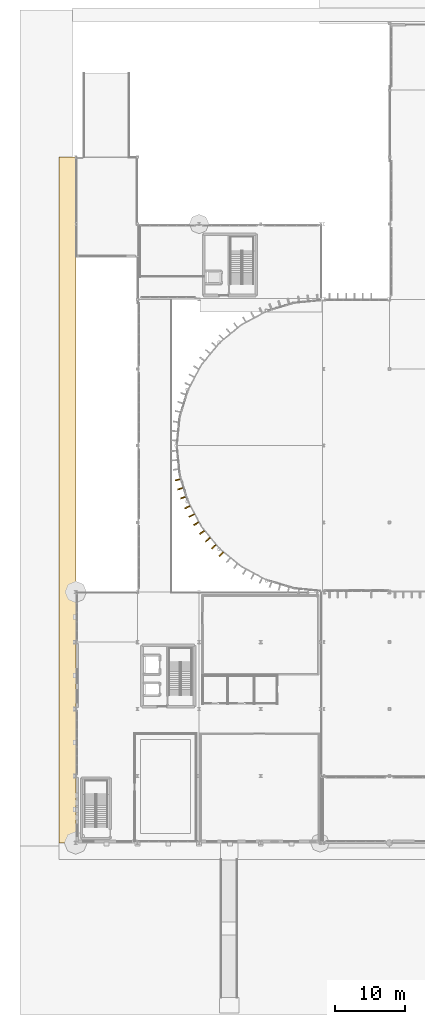
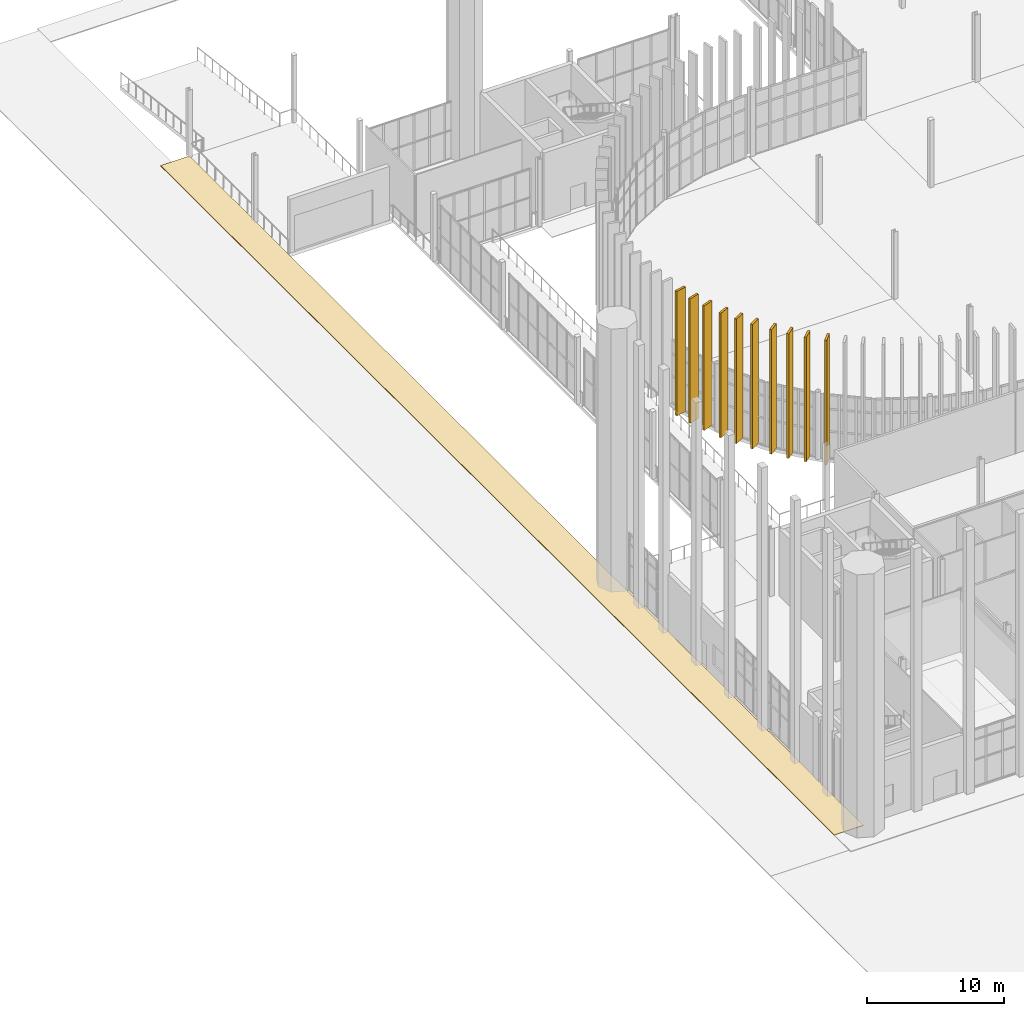
# One storey, part 120 of 139: 11 coverings.
"""IFC4 building model written with IfcOpenShell, lengths in metres."""

from ifc_helpers import new_model, si_unit, direction, frame, origin, origin_2d, place, context, subcontext, project, spatial, polyline, rectangle, outline, extrude, material, layer, layer_set, type_object, element, save


model = new_model("IFC4")

# Units and contexts
model_context = context("Model", 3, precision=1e-05, world=origin(), true_north=direction((0.0, 1.0)))
body_context = subcontext(model_context, "Body", "Model", "MODEL_VIEW")
ifc_project = project(units=[si_unit("LENGTHUNIT", "METRE"), si_unit("AREAUNIT", "SQUARE_METRE"), si_unit("VOLUMEUNIT", "CUBIC_METRE"), si_unit("PLANEANGLEUNIT", "RADIAN"), si_unit("MASSUNIT", "GRAM", prefix="KILO")], contexts=[model_context])

# Site, building, storey
site_placement = place(None, origin())
site = spatial("IfcSite", under=ifc_project, at=site_placement, CompositionType="ELEMENT")
building_placement = place(site_placement, origin())
building = spatial("IfcBuilding", under=site, at=building_placement, Name="Yeouljin Market Hall", CompositionType="ELEMENT")
storey_placement = place(building_placement, origin())
storey = spatial("IfcBuildingStorey", under=building, at=storey_placement, Name="L00", CompositionType="ELEMENT", Elevation=0.0)

# Coverings
ifc_material_1 = material(Name="Pocheon Granite Stone", Category="masonry")
ifc_layer_1 = layer(ifc_material_1, 0.050048828125)
ifc_layer_set_1 = layer_set([ifc_layer_1], Name="Pocheon Granite Stone")
covering_type_1 = type_object("IfcCoveringType", Name="Covering_Granite_PlinthPaving", PredefinedType="FLOORING", material=ifc_layer_set_1)
covering_placement = place(storey_placement, frame((0.0, 0.0, -0.050048828125)))
element("IfcCovering", 1, at=covering_placement, inside=storey, type_object=covering_type_1, Name="Granite plinth exterior apron PAV-WEST-WALK", PredefinedType="FLOORING", context=body_context, shape_type="SweptSolid", body=[
    extrude(outline(polyline([(-2.39990234375, 0.0), (0.050048828125, 0.0), (0.050048828125, 98.39990234375), (-2.39990234375, 98.39990234375), (-2.39990234375, 0.0)])), origin(), (0.0, 0.0, 1.0), 0.050048828125),
])
ifc_material_2 = material(Name="White Limestone and Bronze Solar Fin", Category="masonry")
ifc_layer_2 = layer(ifc_material_2, 0.179931640625)
ifc_layer_set_2 = layer_set([ifc_layer_2], Name="White Limestone and Bronze Solar Fin")
covering_type_2 = type_object("IfcCoveringType", Name="Covering_Limestone_SolarFin", PredefinedType="CLADDING", material=ifc_layer_set_2)
for number, where, z_axis, x_axis, name in (
    (2, (20.907470703125, 41.445068359375, 0.0), (0.0, 0.0, 1.0), (-0.68161533069, -0.731710694857, 0.0), "Apse radial vertical lantern fin west 101"),
    (3, (19.84521484375, 42.507568359375, 0.0), (0.0, 0.0, 1.0), (-0.731710694857, -0.68161533069, 0.0), "Apse radial vertical lantern fin west 102"),
    (4, (18.9658203125, 43.5126953125, 0.0), (0.0, 0.0, 1.0), (-0.772955089162, -0.634460739636, 0.0), "Apse radial vertical lantern fin west 103"),
    (5, (18.1513671875, 44.5712890625, 0.0), (0.0, 0.0, 1.0), (-0.811369990919, -0.584532922799, 0.0), "Apse radial vertical lantern fin west 104"),
    (6, (17.316650390625, 45.820556640625, 0.0), (0.0, 0.0, 1.0), (-0.850627633385, -0.525768608156, 0.0), "Apse radial vertical lantern fin west 105"),
    (7, (16.650390625, 46.97802734375, 0.0), (0.0, 0.0, 1.0), (-0.881962398116, -0.471319772882, 0.0), "Apse radial vertical lantern fin west 106"),
    (8, (16.05810546875, 48.17529296875, 0.0), (0.0, 0.0, 1.0), (-0.909744013277, -0.415169640396, 0.0), "Apse radial vertical lantern fin west 107"),
    (9, (15.483154296875, 49.563232421875, 0.0), (0.0, 0.0, 1.0), (-0.936855428999, -0.349716892865, 0.0), "Apse radial vertical lantern fin west 108"),
    (10, (15.055419921875, 50.82861328125, 0.0), (0.0, 0.0, 1.0), (-0.956914999972, -0.290368184947, 0.0), "Apse radial vertical lantern fin west 109"),
    (11, (14.7080078125, 52.1181640625, 0.0), (0.0, 0.0, 1.0), (-0.973259115993, -0.229710019669, 0.0), "Apse radial vertical lantern fin west 110"),
):
    element("IfcCovering", number, at=place(storey_placement, frame(where, z_axis=z_axis, x_axis=x_axis)), inside=storey, type_object=covering_type_2, Name=name, PredefinedType="CLADDING", context=body_context, shape_type="SweptSolid", body=[
        extrude(rectangle(XDim=0.8798828125, YDim=0.179931640625, at=origin_2d()), origin(), (0.0, 0.0, 1.0), 11.10009765625),
    ])

save(model, "model.ifc")
